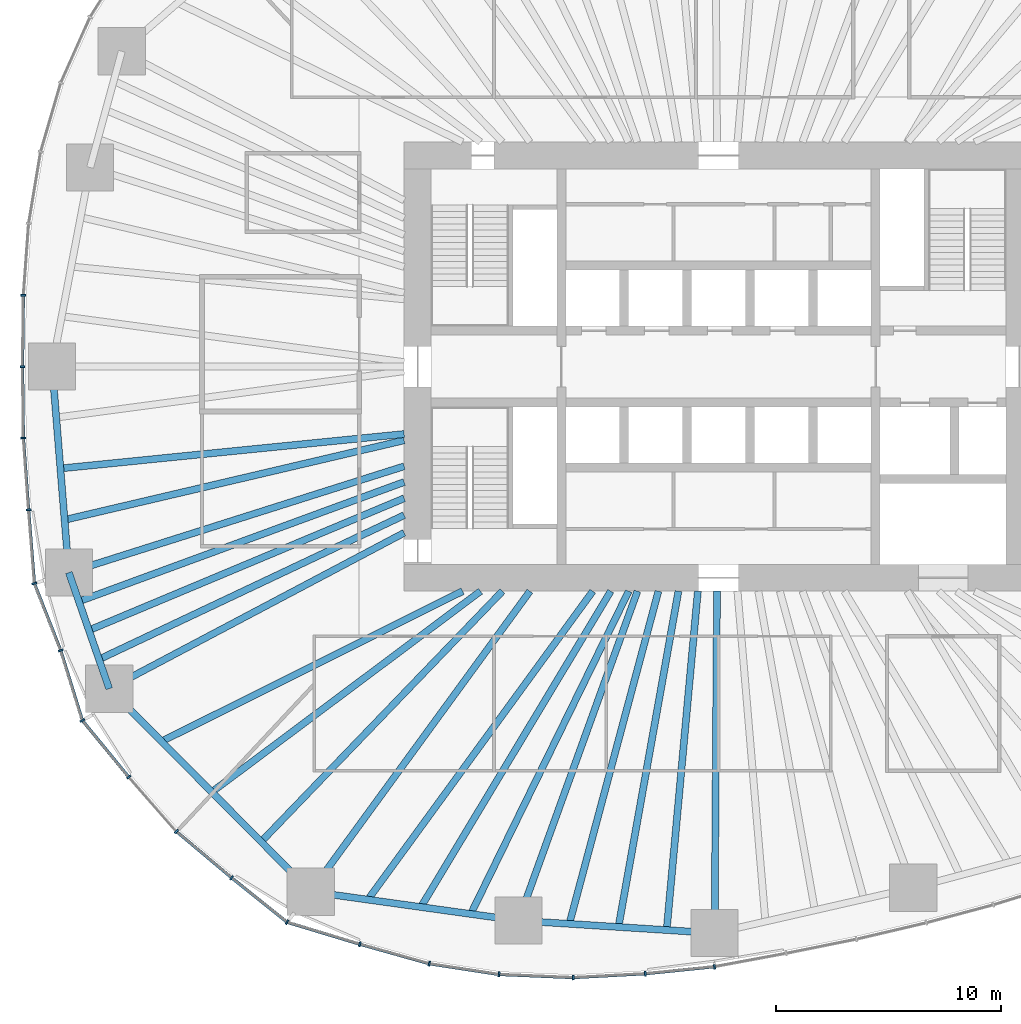
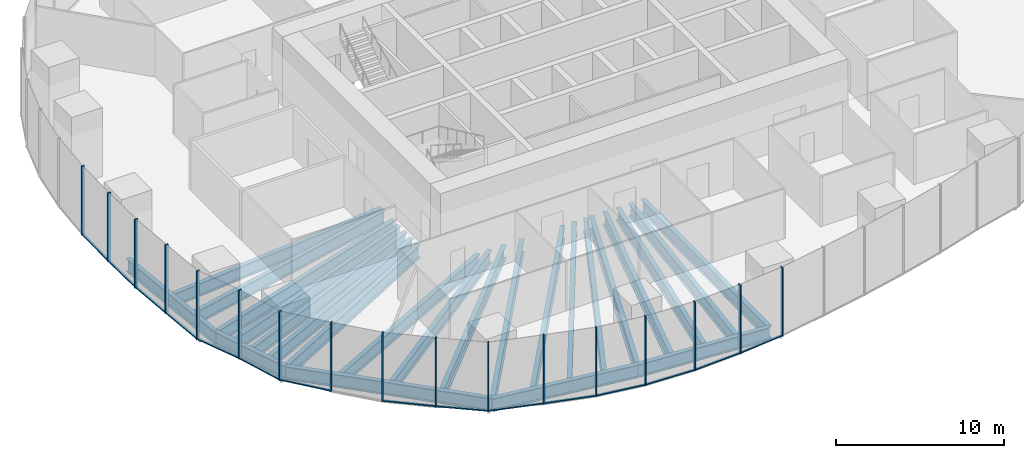
# One storey, part 2 of 20: 32 members, 24 beams, 7 elements without a shape of their own.
"""IFC4 building model written with IfcOpenShell, lengths in metres."""

from ifc_helpers import new_model, si_unit, direction, frame, origin, origin_2d, place, context, subcontext, project, spatial, rectangle, i_section, extrude, material, material_profile, profile_set, type_object, element, aggregate, save


model = new_model("IFC4")

# Units and contexts
model_context = context("Model", 3, precision=1e-05, world=origin(), true_north=direction((0.0, 1.0)))
body_context = subcontext(model_context, "Body", "Model", "MODEL_VIEW")
ifc_project = project(units=[si_unit("LENGTHUNIT", "METRE"), si_unit("AREAUNIT", "SQUARE_METRE"), si_unit("VOLUMEUNIT", "CUBIC_METRE"), si_unit("PLANEANGLEUNIT", "RADIAN"), si_unit("MASSUNIT", "GRAM", prefix="KILO")], contexts=[model_context])

# Site, building, storey
site_placement = place(None, origin())
site = spatial("IfcSite", under=ifc_project, at=site_placement, CompositionType="ELEMENT")
building_placement = place(site_placement, origin())
building = spatial("IfcBuilding", under=site, at=building_placement, Name="Ghaith Harvest Tower", CompositionType="ELEMENT")
storey_placement = place(building_placement, frame((0.0, 0.0, 25.0)))
storey = spatial("IfcBuildingStorey", under=building, at=storey_placement, Name="L05", CompositionType="ELEMENT", Elevation=25.0)

# Curtain wall, member
ifc_material_1 = material(Name="Black anodised aluminium and fritted glass", Category="aluminium")
curtain_wall_type = type_object("IfcCurtainWallType", Name="CW-F CURTAIN WALL", PredefinedType="NOTDEFINED", material=ifc_material_1)
curtain_wall_1_placement = place(storey_placement, origin())
curtain_wall_1 = element("IfcCurtainWall", 1, at=curtain_wall_1_placement, inside=storey, type_object=curtain_wall_type, Name="Curtain wall CW-F bay 10 L05", PredefinedType="NOTDEFINED")
ifc_material_2 = material(Name="Aluminium, black anodised", Category="aluminium")
ifc_material_profile_1 = material_profile(ifc_material_2, rectangle(XDim=0.080078125, YDim=0.219970703125, at=origin_2d()), Name="CW-F MULLION 80x220")
ifc_profile_set_1 = profile_set([ifc_material_profile_1], Name="Aluminium, black anodised")
member_type_1 = type_object("IfcMemberType", Name="CW-F MULLION 80x220", PredefinedType="MULLION", material=ifc_profile_set_1)
member_1_placement = place(storey_placement, frame((-30.95654296875, 3.177978515625, 0.0), z_axis=(0.0, 0.0, 1.0), x_axis=(-0.042427007767, -0.999099569118, 0.0)))
member_1 = element("IfcMember", 2, at=member_1_placement, type_object=member_type_1, Name="CW-F mullion 3 bay 10 L05", PredefinedType="MULLION", context=body_context, shape_type="SweptSolid", body=[
    extrude(rectangle(XDim=0.080078125, YDim=0.219970703125, at=origin_2d()), origin(), (0.0, 0.0, 1.0), 5.0),
])

# Curtain wall, members
curtain_wall_2_placement = place(storey_placement, origin())
curtain_wall_2 = element("IfcCurtainWall", 3, at=curtain_wall_2_placement, inside=storey, type_object=curtain_wall_type, Name="Curtain wall CW-F bay 11 L05", PredefinedType="NOTDEFINED")
member_2_placement = place(storey_placement, frame((-30.9951171875, 0.0, 0.0), z_axis=(0.0, 0.0, 1.0), x_axis=(1.4e-10, -1.0, 0.0)))
member_2 = element("IfcMember", 4, at=member_2_placement, type_object=member_type_1, Name="CW-F mullion 1 bay 11 L05", PredefinedType="MULLION", context=body_context, shape_type="SweptSolid", body=[
    extrude(rectangle(XDim=0.080078125, YDim=0.219970703125, at=origin_2d()), origin(), (0.0, 0.0, 1.0), 5.0),
])
member_3_placement = place(storey_placement, frame((-30.95654296875, -3.177978515625, 0.0), z_axis=(0.0, 0.0, 1.0), x_axis=(0.042427007872, -0.999099569114, 0.0)))
member_3 = element("IfcMember", 5, at=member_3_placement, type_object=member_type_1, Name="CW-F mullion 2 bay 11 L05", PredefinedType="MULLION", context=body_context, shape_type="SweptSolid", body=[
    extrude(rectangle(XDim=0.080078125, YDim=0.219970703125, at=origin_2d()), origin(), (0.0, 0.0, 1.0), 5.0),
])
member_4_placement = place(storey_placement, frame((-30.724365234375, -6.37548828125, 0.0), z_axis=(0.0, 0.0, 1.0), x_axis=(0.07568573288, -0.997131721408, 0.0)))
member_4 = element("IfcMember", 6, at=member_4_placement, type_object=member_type_1, Name="CW-F mullion 3 bay 11 L05", PredefinedType="MULLION", context=body_context, shape_type="SweptSolid", body=[
    extrude(rectangle(XDim=0.080078125, YDim=0.219970703125, at=origin_2d()), origin(), (0.0, 0.0, 1.0), 5.0),
])

curtain_wall_3_placement = place(storey_placement, origin())
curtain_wall_3 = element("IfcCurtainWall", 7, at=curtain_wall_3_placement, inside=storey, type_object=curtain_wall_type, Name="Curtain wall CW-F bay 12 L05", PredefinedType="NOTDEFINED")
member_5_placement = place(storey_placement, frame((-30.46484375, -9.65478515625, 0.0), z_axis=(0.0, 0.0, 1.0), x_axis=(0.222967363441, -0.974825910017, 0.0)))
member_5 = element("IfcMember", 8, at=member_5_placement, type_object=member_type_1, Name="CW-F mullion 1 bay 12 L05", PredefinedType="MULLION", context=body_context, shape_type="SweptSolid", body=[
    extrude(rectangle(XDim=0.080078125, YDim=0.219970703125, at=origin_2d()), origin(), (0.0, 0.0, 1.0), 5.0),
])
member_6_placement = place(storey_placement, frame((-29.29248046875, -12.63525390625, 0.0), z_axis=(0.0, 0.0, 1.0), x_axis=(0.330700518925, -0.943735750506, 0.0)))
member_6 = element("IfcMember", 9, at=member_6_placement, type_object=member_type_1, Name="CW-F mullion 2 bay 12 L05", PredefinedType="MULLION", context=body_context, shape_type="SweptSolid", body=[
    extrude(rectangle(XDim=0.080078125, YDim=0.219970703125, at=origin_2d()), origin(), (0.0, 0.0, 1.0), 5.0),
])
member_7_placement = place(storey_placement, frame((-28.3271484375, -15.7548828125, 0.0), z_axis=(0.0, 0.0, 1.0), x_axis=(0.473265082527, -0.880920065421, 0.0)))
member_7 = element("IfcMember", 10, at=member_7_placement, type_object=member_type_1, Name="CW-F mullion 3 bay 12 L05", PredefinedType="MULLION", context=body_context, shape_type="SweptSolid", body=[
    extrude(rectangle(XDim=0.080078125, YDim=0.219970703125, at=origin_2d()), origin(), (0.0, 0.0, 1.0), 5.0),
])

curtain_wall_4_placement = place(storey_placement, origin())
curtain_wall_4 = element("IfcCurtainWall", 11, at=curtain_wall_4_placement, inside=storey, type_object=curtain_wall_type, Name="Curtain wall CW-F bay 13 L05", PredefinedType="NOTDEFINED")
member_8_placement = place(storey_placement, frame((-26.26318359375, -18.274169921875, 0.0), z_axis=(0.0, 0.0, 1.0), x_axis=(0.646523538748, -0.762894038412, 0.0)))
member_8 = element("IfcMember", 12, at=member_8_placement, type_object=member_type_1, Name="CW-F mullion 1 bay 13 L05", PredefinedType="MULLION", context=body_context, shape_type="SweptSolid", body=[
    extrude(rectangle(XDim=0.080078125, YDim=0.219970703125, at=origin_2d()), origin(), (0.0, 0.0, 1.0), 5.0),
])
member_9_placement = place(storey_placement, frame((-24.139404296875, -20.696533203125, 0.0), z_axis=(0.0, 0.0, 1.0), x_axis=(0.714663248554, -0.699468684907, 0.0)))
member_9 = element("IfcMember", 13, at=member_9_placement, type_object=member_type_1, Name="CW-F mullion 2 bay 13 L05", PredefinedType="MULLION", context=body_context, shape_type="SweptSolid", body=[
    extrude(rectangle(XDim=0.080078125, YDim=0.219970703125, at=origin_2d()), origin(), (0.0, 0.0, 1.0), 5.0),
])
member_10_placement = place(storey_placement, frame((-21.681640625, -22.758056640625, 0.0), z_axis=(0.0, 0.0, 1.0), x_axis=(0.773138721505, -0.634236956751, 0.0)))
member_10 = element("IfcMember", 14, at=member_10_placement, type_object=member_type_1, Name="CW-F mullion 3 bay 13 L05", PredefinedType="MULLION", context=body_context, shape_type="SweptSolid", body=[
    extrude(rectangle(XDim=0.080078125, YDim=0.219970703125, at=origin_2d()), origin(), (0.0, 0.0, 1.0), 5.0),
])

curtain_wall_5_placement = place(storey_placement, origin())
curtain_wall_5 = element("IfcCurtainWall", 15, at=curtain_wall_5_placement, inside=storey, type_object=curtain_wall_type, Name="Curtain wall CW-F bay 14 L05", PredefinedType="NOTDEFINED")
member_11_placement = place(storey_placement, frame((-19.212646484375, -24.73828125, 0.0), z_axis=(0.0, 0.0, 1.0), x_axis=(0.887912253774, -0.460012858079, 0.0)))
member_11 = element("IfcMember", 16, at=member_11_placement, type_object=member_type_1, Name="CW-F mullion 1 bay 14 L05", PredefinedType="MULLION", context=body_context, shape_type="SweptSolid", body=[
    extrude(rectangle(XDim=0.080078125, YDim=0.219970703125, at=origin_2d()), origin(), (0.0, 0.0, 1.0), 5.0),
])
member_12_placement = place(storey_placement, frame((-15.97119140625, -25.716552734375, 0.0), z_axis=(0.0, 0.0, 1.0), x_axis=(0.960008876539, -0.279969564356, 0.0)))
member_12 = element("IfcMember", 17, at=member_12_placement, type_object=member_type_1, Name="CW-F mullion 2 bay 14 L05", PredefinedType="MULLION", context=body_context, shape_type="SweptSolid", body=[
    extrude(rectangle(XDim=0.080078125, YDim=0.219970703125, at=origin_2d()), origin(), (0.0, 0.0, 1.0), 5.0),
])
member_13_placement = place(storey_placement, frame((-12.880615234375, -26.5849609375, 0.0), z_axis=(0.0, 0.0, 1.0), x_axis=(0.977207016024, -0.212288595628, 0.0)))
member_13 = element("IfcMember", 18, at=member_13_placement, type_object=member_type_1, Name="CW-F mullion 3 bay 14 L05", PredefinedType="MULLION", context=body_context, shape_type="SweptSolid", body=[
    extrude(rectangle(XDim=0.080078125, YDim=0.219970703125, at=origin_2d()), origin(), (0.0, 0.0, 1.0), 5.0),
])

curtain_wall_6_placement = place(storey_placement, origin())
curtain_wall_6 = element("IfcCurtainWall", 19, at=curtain_wall_6_placement, inside=storey, type_object=curtain_wall_type, Name="Curtain wall CW-F bay 15 L05", PredefinedType="NOTDEFINED")
member_14_placement = place(storey_placement, frame((-9.7744140625, -27.062744140625, 0.0), z_axis=(0.0, 0.0, 1.0), x_axis=(0.995408459417, -0.095718331168, 0.0)))
member_14 = element("IfcMember", 20, at=member_14_placement, type_object=member_type_1, Name="CW-F mullion 1 bay 15 L05", PredefinedType="MULLION", context=body_context, shape_type="SweptSolid", body=[
    extrude(rectangle(XDim=0.080078125, YDim=0.219970703125, at=origin_2d()), origin(), (0.0, 0.0, 1.0), 5.0),
])
member_15_placement = place(storey_placement, frame((-6.465087890625, -27.20166015625, 0.0), z_axis=(0.0, 0.0, 1.0), x_axis=(0.999987206373, 0.005058368251, 0.0)))
member_15 = element("IfcMember", 21, at=member_15_placement, type_object=member_type_1, Name="CW-F mullion 2 bay 15 L05", PredefinedType="MULLION", context=body_context, shape_type="SweptSolid", body=[
    extrude(rectangle(XDim=0.080078125, YDim=0.219970703125, at=origin_2d()), origin(), (0.0, 0.0, 1.0), 5.0),
])
member_16_placement = place(storey_placement, frame((-3.261962890625, -27.02978515625, 0.0), z_axis=(0.0, 0.0, 1.0), x_axis=(0.997037536276, 0.07691652135, 0.0)))
member_16 = element("IfcMember", 22, at=member_16_placement, type_object=member_type_1, Name="CW-F mullion 3 bay 15 L05", PredefinedType="MULLION", context=body_context, shape_type="SweptSolid", body=[
    extrude(rectangle(XDim=0.080078125, YDim=0.219970703125, at=origin_2d()), origin(), (0.0, 0.0, 1.0), 5.0),
])

# Curtain wall, member
curtain_wall_7_placement = place(storey_placement, origin())
curtain_wall_7 = element("IfcCurtainWall", 23, at=curtain_wall_7_placement, inside=storey, type_object=curtain_wall_type, Name="Curtain wall CW-F bay 16 L05", PredefinedType="NOTDEFINED")
member_17_placement = place(storey_placement, frame((-0.182861328125, -26.717041015625, 0.0), z_axis=(0.0, 0.0, 1.0), x_axis=(0.98971187144, 0.143074845907, 0.0)))
member_17 = element("IfcMember", 24, at=member_17_placement, type_object=member_type_1, Name="CW-F mullion 1 bay 16 L05", PredefinedType="MULLION", context=body_context, shape_type="SweptSolid", body=[
    extrude(rectangle(XDim=0.080078125, YDim=0.219970703125, at=origin_2d()), origin(), (0.0, 0.0, 1.0), 5.0),
])
aggregate(curtain_wall_7, [member_17])

# Member
ifc_material_3 = material(Name="Aluminium, black anodised", Category="aluminium")
ifc_material_profile_2 = material_profile(ifc_material_3, rectangle(XDim=0.139892578125, YDim=0.080078125, at=origin_2d()), Name="CW-F TRANSOM 140x80")
ifc_profile_set_2 = profile_set([ifc_material_profile_2], Name="Aluminium, black anodised")
member_type_2 = type_object("IfcMemberType", Name="CW-F TRANSOM 140x80", PredefinedType="USERDEFINED", material=ifc_profile_set_2)
member_18_placement = place(storey_placement, frame((-30.95703125, 3.137939453125, 0.0400390625), z_axis=(-0.012135602457, -0.999926360865, 0.0), x_axis=(0.999926360865, -0.012135602457, 0.0)))
member_18 = element("IfcMember", 25, at=member_18_placement, type_object=member_type_2, Name="CW-F transom 3 bay 10 L05", ObjectType="TRANSOM", PredefinedType="USERDEFINED", context=body_context, shape_type="SweptSolid", body=[
    extrude(rectangle(XDim=0.139892578125, YDim=0.080078125, at=origin_2d()), origin(), (0.0, 0.0, 1.0), 3.09814453125),
])

aggregate(curtain_wall_1, [member_1, member_18])

member_19_placement = place(storey_placement, frame((-30.99462890625, -0.0400390625, 0.0400390625), z_axis=(0.012135602457, -0.999926360865, 0.0), x_axis=(0.999926360865, 0.012135602457, 0.0)))
member_19 = element("IfcMember", 26, at=member_19_placement, type_object=member_type_2, Name="CW-F transom 1 bay 11 L05", ObjectType="TRANSOM", PredefinedType="USERDEFINED", context=body_context, shape_type="SweptSolid", body=[
    extrude(rectangle(XDim=0.139892578125, YDim=0.080078125, at=origin_2d()), origin(), (0.0, 0.0, 1.0), 3.09814453125),
])

member_20_placement = place(storey_placement, frame((-30.95361328125, -3.2177734375, 0.0400390625), z_axis=(0.072473547161, -0.997370334912, 0.0), x_axis=(0.997370334912, 0.072473547161, 0.0)))
member_20 = element("IfcMember", 27, at=member_20_placement, type_object=member_type_2, Name="CW-F transom 2 bay 11 L05", ObjectType="TRANSOM", PredefinedType="USERDEFINED", context=body_context, shape_type="SweptSolid", body=[
    extrude(rectangle(XDim=0.139892578125, YDim=0.080078125, at=origin_2d()), origin(), (0.0, 0.0, 1.0), 3.126220703125),
])

member_21_placement = place(storey_placement, frame((-30.72119140625, -6.415283203125, 0.0400390625), z_axis=(0.078877539502, -0.996884313129, 0.0), x_axis=(0.996884313129, 0.078877539502, 0.0)))
member_21 = element("IfcMember", 28, at=member_21_placement, type_object=member_type_2, Name="CW-F transom 3 bay 11 L05", ObjectType="TRANSOM", PredefinedType="USERDEFINED", context=body_context, shape_type="SweptSolid", body=[
    extrude(rectangle(XDim=0.139892578125, YDim=0.080078125, at=origin_2d()), origin(), (0.0, 0.0, 1.0), 3.209716796875),
])

aggregate(curtain_wall_2, [member_2, member_19, member_3, member_20, member_4, member_21])

member_22_placement = place(storey_placement, frame((-30.4501953125, -9.692138671875, 0.0400390625), z_axis=(0.366046617161, -0.93059651518, 0.0), x_axis=(0.93059651518, 0.366046617161, 0.0)))
member_22 = element("IfcMember", 29, at=member_22_placement, type_object=member_type_2, Name="CW-F transom 1 bay 12 L05", ObjectType="TRANSOM", PredefinedType="USERDEFINED", context=body_context, shape_type="SweptSolid", body=[
    extrude(rectangle(XDim=0.139892578125, YDim=0.080078125, at=origin_2d()), origin(), (0.0, 0.0, 1.0), 3.122802734375),
])

member_23_placement = place(storey_placement, frame((-29.28076171875, -12.673583984375, 0.0400390625), z_axis=(0.295598800908, -0.955312173534, 0.0), x_axis=(0.955312173534, 0.295598800908, 0.0)))
member_23 = element("IfcMember", 30, at=member_23_placement, type_object=member_type_2, Name="CW-F transom 2 bay 12 L05", ObjectType="TRANSOM", PredefinedType="USERDEFINED", context=body_context, shape_type="SweptSolid", body=[
    extrude(rectangle(XDim=0.139892578125, YDim=0.080078125, at=origin_2d()), origin(), (0.0, 0.0, 1.0), 3.185546875),
])

member_24_placement = place(storey_placement, frame((-28.302001953125, -15.785888671875, 0.0400390625), z_axis=(0.633790042943, -0.773505126982, 0.0), x_axis=(0.773505126982, 0.633790042943, 0.0)))
member_24 = element("IfcMember", 31, at=member_24_placement, type_object=member_type_2, Name="CW-F transom 3 bay 12 L05", ObjectType="TRANSOM", PredefinedType="USERDEFINED", context=body_context, shape_type="SweptSolid", body=[
    extrude(rectangle(XDim=0.139892578125, YDim=0.080078125, at=origin_2d()), origin(), (0.0, 0.0, 1.0), 3.1767578125),
])

aggregate(curtain_wall_3, [member_5, member_22, member_6, member_23, member_7, member_24])

member_25_placement = place(storey_placement, frame((-24.10888671875, -20.72216796875, 0.0400390625), z_axis=(0.766144434184, -0.642668426149, 0.0), x_axis=(0.642668426149, 0.766144434184, 0.0)))
member_25 = element("IfcMember", 32, at=member_25_placement, type_object=member_type_2, Name="CW-F transom 2 bay 13 L05", ObjectType="TRANSOM", PredefinedType="USERDEFINED", context=body_context, shape_type="SweptSolid", body=[
    extrude(rectangle(XDim=0.139892578125, YDim=0.080078125, at=origin_2d()), origin(), (0.0, 0.0, 1.0), 3.1279296875),
])

member_26_placement = place(storey_placement, frame((-21.650634765625, -22.783203125, 0.0400390625), z_axis=(0.780181223133, -0.625553562112, 0.0), x_axis=(0.625553562112, 0.780181223133, 0.0)))
member_26 = element("IfcMember", 33, at=member_26_placement, type_object=member_type_2, Name="CW-F transom 3 bay 13 L05", ObjectType="TRANSOM", PredefinedType="USERDEFINED", context=body_context, shape_type="SweptSolid", body=[
    extrude(rectangle(XDim=0.139892578125, YDim=0.080078125, at=origin_2d()), origin(), (0.0, 0.0, 1.0), 3.085205078125),
])

aggregate(curtain_wall_4, [member_8, member_9, member_25, member_10, member_26])

member_27_placement = place(storey_placement, frame((-19.17431640625, -24.749755859375, 0.0400390625), z_axis=(0.957335035376, -0.288980328121, 0.0), x_axis=(0.288980328121, 0.957335035376, 0.0)))
member_27 = element("IfcMember", 34, at=member_27_placement, type_object=member_type_2, Name="CW-F transom 1 bay 14 L05", ObjectType="TRANSOM", PredefinedType="USERDEFINED", context=body_context, shape_type="SweptSolid", body=[
    extrude(rectangle(XDim=0.139892578125, YDim=0.080078125, at=origin_2d()), origin(), (0.0, 0.0, 1.0), 3.305908203125),
])

member_28_placement = place(storey_placement, frame((-15.9326171875, -25.727294921875, 0.0400390625), z_axis=(0.962727128991, -0.270474536888, 0.0), x_axis=(0.270474536888, 0.962727128991, 0.0)))
member_28 = element("IfcMember", 35, at=member_28_placement, type_object=member_type_2, Name="CW-F transom 2 bay 14 L05", ObjectType="TRANSOM", PredefinedType="USERDEFINED", context=body_context, shape_type="SweptSolid", body=[
    extrude(rectangle(XDim=0.139892578125, YDim=0.080078125, at=origin_2d()), origin(), (0.0, 0.0, 1.0), 3.13037109375),
])

member_29_placement = place(storey_placement, frame((-12.841064453125, -26.591064453125, 0.0400390625), z_axis=(0.988378147633, -0.152015253451, 0.0), x_axis=(0.152015253451, 0.988378147633, 0.0)))
member_29 = element("IfcMember", 36, at=member_29_placement, type_object=member_type_2, Name="CW-F transom 3 bay 14 L05", ObjectType="TRANSOM", PredefinedType="USERDEFINED", context=body_context, shape_type="SweptSolid", body=[
    extrude(rectangle(XDim=0.139892578125, YDim=0.080078125, at=origin_2d()), origin(), (0.0, 0.0, 1.0), 3.062744140625),
])

aggregate(curtain_wall_5, [member_11, member_27, member_12, member_28, member_13, member_29])

member_30_placement = place(storey_placement, frame((-9.734375, -27.064453125, 0.0400390625), z_axis=(0.999117688764, -0.04199814281, 0.0), x_axis=(0.04199814281, 0.999117688764, 0.0)))
member_30 = element("IfcMember", 37, at=member_30_placement, type_object=member_type_2, Name="CW-F transom 1 bay 15 L05", ObjectType="TRANSOM", PredefinedType="USERDEFINED", context=body_context, shape_type="SweptSolid", body=[
    extrude(rectangle(XDim=0.139892578125, YDim=0.080078125, at=origin_2d()), origin(), (0.0, 0.0, 1.0), 3.232177734375),
])

member_31_placement = place(storey_placement, frame((-6.42529296875, -27.19970703125, 0.0400390625), z_axis=(0.99856142387, 0.053619798202, 0.0), x_axis=(-0.053619798202, 0.99856142387, 0.0)))
member_31 = element("IfcMember", 38, at=member_31_placement, type_object=member_type_2, Name="CW-F transom 2 bay 15 L05", ObjectType="TRANSOM", PredefinedType="USERDEFINED", context=body_context, shape_type="SweptSolid", body=[
    extrude(rectangle(XDim=0.139892578125, YDim=0.080078125, at=origin_2d()), origin(), (0.0, 0.0, 1.0), 3.1279296875),
])

member_32_placement = place(storey_placement, frame((-3.22216796875, -27.02587890625, 0.0400390625), z_axis=(0.994880435036, 0.101058992587, 0.0), x_axis=(-0.101058992587, 0.994880435036, 0.0)))
member_32 = element("IfcMember", 39, at=member_32_placement, type_object=member_type_2, Name="CW-F transom 3 bay 15 L05", ObjectType="TRANSOM", PredefinedType="USERDEFINED", context=body_context, shape_type="SweptSolid", body=[
    extrude(rectangle(XDim=0.139892578125, YDim=0.080078125, at=origin_2d()), origin(), (0.0, 0.0, 1.0), 3.014892578125),
])

aggregate(curtain_wall_6, [member_14, member_30, member_15, member_31, member_16, member_32])

# Beams
ifc_material_4 = material(Name="Steel ASTM A992 Grade 50", Category="steel")
ifc_material_profile_3 = material_profile(ifc_material_4, i_section(OverallWidth=0.306884765625, OverallDepth=0.94189453125, WebThickness=0.022216796875, FlangeThickness=0.039794921875, at=origin_2d()), Name="W920X345")
ifc_profile_set_3 = profile_set([ifc_material_profile_3], Name="Steel ASTM A992 Grade 50")
beam_type_1 = type_object("IfcBeamType", Name="E920-345 W920X345", PredefinedType="SPANDREL", material=ifc_profile_set_3)
beam_1_placement = place(storey_placement, frame((-29.675048828125, 0.0, -0.6708984375), z_axis=(0.081006863421, -0.996713543642, 0.0), x_axis=(0.996713543642, 0.081006863421, 0.0)))
element("IfcBeam", 40, at=beam_1_placement, inside=storey, type_object=beam_type_1, Name="Edge beam E11 L05", PredefinedType="SPANDREL", context=body_context, shape_type="SweptSolid", body=[
    extrude(i_section(OverallWidth=0.306884765625, OverallDepth=0.94189453125, WebThickness=0.022216796875, FlangeThickness=0.039794921875, at=origin_2d()), origin(), (0.0, 0.0, 1.0), 9.1982421875),
])
beam_2_placement = place(storey_placement, frame((-28.929931640625, -9.16796875, -0.6708984375), z_axis=(0.328278550319, -0.944580961803, 0.0), x_axis=(0.944580961803, 0.328278550319, 0.0)))
element("IfcBeam", 41, at=beam_2_placement, inside=storey, type_object=beam_type_1, Name="Edge beam E12 L05", PredefinedType="SPANDREL", context=body_context, shape_type="SweptSolid", body=[
    extrude(i_section(OverallWidth=0.306884765625, OverallDepth=0.94189453125, WebThickness=0.022216796875, FlangeThickness=0.039794921875, at=origin_2d()), origin(), (0.0, 0.0, 1.0), 5.4765625),
])
beam_3_placement = place(storey_placement, frame((-27.132080078125, -14.341064453125, -0.6708984375), z_axis=(0.704562513714, -0.709641926798, 0.0), x_axis=(0.709641926798, 0.704562513714, 0.0)))
element("IfcBeam", 42, at=beam_3_placement, inside=storey, type_object=beam_type_1, Name="Edge beam E13 L05", PredefinedType="SPANDREL", context=body_context, shape_type="SweptSolid", body=[
    extrude(i_section(OverallWidth=0.306884765625, OverallDepth=0.94189453125, WebThickness=0.022216796875, FlangeThickness=0.039794921875, at=origin_2d()), origin(), (0.0, 0.0, 1.0), 12.737060546875),
])
beam_4_placement = place(storey_placement, frame((-18.157958984375, -23.3798828125, -0.6708984375), z_axis=(0.990441143901, -0.137936001352, 0.0), x_axis=(0.137936001352, 0.990441143901, 0.0)))
element("IfcBeam", 43, at=beam_4_placement, inside=storey, type_object=beam_type_1, Name="Edge beam E14 L05", PredefinedType="SPANDREL", context=body_context, shape_type="SweptSolid", body=[
    extrude(i_section(OverallWidth=0.306884765625, OverallDepth=0.94189453125, WebThickness=0.022216796875, FlangeThickness=0.039794921875, at=origin_2d()), origin(), (0.0, 0.0, 1.0), 9.33837890625),
])
beam_5_placement = place(storey_placement, frame((-8.908935546875, -24.66796875, -0.6708984375), z_axis=(0.99797963184, -0.063534671101, 0.0), x_axis=(0.063534671101, 0.99797963184, 0.0)))
element("IfcBeam", 44, at=beam_5_placement, inside=storey, type_object=beam_type_1, Name="Edge beam E15 L05", PredefinedType="SPANDREL", context=body_context, shape_type="SweptSolid", body=[
    extrude(i_section(OverallWidth=0.306884765625, OverallDepth=0.94189453125, WebThickness=0.022216796875, FlangeThickness=0.039794921875, at=origin_2d()), origin(), (0.0, 0.0, 1.0), 8.75341796875),
])
ifc_material_5 = material(Name="Steel ASTM A992 Grade 50", Category="steel")
ifc_material_profile_4 = material_profile(ifc_material_5, i_section(OverallWidth=0.306884765625, OverallDepth=0.94189453125, WebThickness=0.022216796875, FlangeThickness=0.039794921875, at=origin_2d()), Name="W920X345")
ifc_profile_set_4 = profile_set([ifc_material_profile_4], Name="Steel ASTM A992 Grade 50")
beam_type_2 = type_object("IfcBeamType", Name="G920-345 W920X345", PredefinedType="BEAM", material=ifc_profile_set_4)
beam_6_placement = place(storey_placement, frame((-14.0, -4.43701171875, -0.6708984375), z_axis=(-0.953284407194, -0.302074227636, 0.0), x_axis=(0.302074227636, -0.953284407194, 0.0)))
element("IfcBeam", 45, at=beam_6_placement, inside=storey, type_object=beam_type_2, Name="Radial girder G12 L05", PredefinedType="BEAM", context=body_context, shape_type="SweptSolid", body=[
    extrude(i_section(OverallWidth=0.306884765625, OverallDepth=0.94189453125, WebThickness=0.022216796875, FlangeThickness=0.039794921875, at=origin_2d()), origin(), (0.0, 0.0, 1.0), 15.66162109375),
])
beam_7_placement = place(storey_placement, frame((-14.0, -7.39990234375, -0.6708984375), z_axis=(-0.884097171481, -0.467303104397, 0.0), x_axis=(0.467303104397, -0.884097171481, 0.0)))
element("IfcBeam", 46, at=beam_7_placement, inside=storey, type_object=beam_type_2, Name="Radial girder G13 L05", PredefinedType="BEAM", context=body_context, shape_type="SweptSolid", body=[
    extrude(i_section(OverallWidth=0.306884765625, OverallDepth=0.94189453125, WebThickness=0.022216796875, FlangeThickness=0.039794921875, at=origin_2d()), origin(), (0.0, 0.0, 1.0), 14.853759765625),
])
beam_8_placement = place(storey_placement, frame((-8.39990234375, -10.0, -0.6708984375), z_axis=(-0.589246749374, -0.807953134997, 0.0), x_axis=(0.807953134997, -0.589246749374, 0.0)))
element("IfcBeam", 47, at=beam_8_placement, inside=storey, type_object=beam_type_2, Name="Radial girder G14 L05", PredefinedType="BEAM", context=body_context, shape_type="SweptSolid", body=[
    extrude(i_section(OverallWidth=0.306884765625, OverallDepth=0.94189453125, WebThickness=0.022216796875, FlangeThickness=0.039794921875, at=origin_2d()), origin(), (0.0, 0.0, 1.0), 16.560302734375),
])
beam_9_placement = place(storey_placement, frame((-3.61181640625, -10.0, -0.6708984375), z_axis=(-0.339664467784, -0.940546675782, 0.0), x_axis=(0.940546675782, -0.339664467784, 0.0)))
element("IfcBeam", 48, at=beam_9_placement, inside=storey, type_object=beam_type_2, Name="Radial girder G15 L05", PredefinedType="BEAM", context=body_context, shape_type="SweptSolid", body=[
    extrude(i_section(OverallWidth=0.306884765625, OverallDepth=0.94189453125, WebThickness=0.022216796875, FlangeThickness=0.039794921875, at=origin_2d()), origin(), (0.0, 0.0, 1.0), 15.59521484375),
])
beam_10_placement = place(storey_placement, frame((-0.068359375, -10.0, -0.6708984375), z_axis=(-0.006879467722, -0.999976336182, 0.0), x_axis=(0.999976336182, -0.006879467722, 0.0)))
element("IfcBeam", 49, at=beam_10_placement, inside=storey, type_object=beam_type_2, Name="Radial girder G16 L05", PredefinedType="BEAM", context=body_context, shape_type="SweptSolid", body=[
    extrude(i_section(OverallWidth=0.306884765625, OverallDepth=0.94189453125, WebThickness=0.022216796875, FlangeThickness=0.039794921875, at=origin_2d()), origin(), (0.0, 0.0, 1.0), 15.224365234375),
])
ifc_material_6 = material(Name="Steel ASTM A992 Grade 50", Category="steel")
ifc_material_profile_5 = material_profile(ifc_material_6, i_section(OverallWidth=0.31005859375, OverallDepth=0.927001953125, WebThickness=0.019287109375, FlangeThickness=0.031982421875, at=origin_2d()), Name="W920X289")
ifc_profile_set_5 = profile_set([ifc_material_profile_5], Name="Steel ASTM A992 Grade 50")
beam_type_3 = type_object("IfcBeamType", Name="J920-289 W920X289", PredefinedType="JOIST", material=ifc_profile_set_5)
beam_11_placement = place(storey_placement, frame((-14.0, -3.0, -0.66357421875), z_axis=(-0.995023982133, -0.099635711366, 0.0), x_axis=(0.099635711366, -0.995023982133, 0.0)))
element("IfcBeam", 50, at=beam_11_placement, inside=storey, type_object=beam_type_3, Name="Joist J11.2 L05", PredefinedType="JOIST", context=body_context, shape_type="SweptSolid", body=[
    extrude(i_section(OverallWidth=0.31005859375, OverallDepth=0.927001953125, WebThickness=0.019287109375, FlangeThickness=0.031982421875, at=origin_2d()), origin(), (0.0, 0.0, 1.0), 15.38330078125),
])
beam_12_placement = place(storey_placement, frame((-14.0, -3.280517578125, -0.66357421875), z_axis=(-0.973622531394, -0.228164778969, 0.0), x_axis=(0.228164778969, -0.973622531394, 0.0)))
element("IfcBeam", 51, at=beam_12_placement, inside=storey, type_object=beam_type_3, Name="Joist J11.3 L05", PredefinedType="JOIST", context=body_context, shape_type="SweptSolid", body=[
    extrude(i_section(OverallWidth=0.31005859375, OverallDepth=0.927001953125, WebThickness=0.019287109375, FlangeThickness=0.031982421875, at=origin_2d()), origin(), (0.0, 0.0, 1.0), 15.5302734375),
])
beam_13_placement = place(storey_placement, frame((-14.0, -5.137939453125, -0.66357421875), z_axis=(-0.938772784742, -0.344536875569, 0.0), x_axis=(0.344536875569, -0.938772784742, 0.0)))
element("IfcBeam", 52, at=beam_13_placement, inside=storey, type_object=beam_type_3, Name="Joist J12.1 L05", PredefinedType="JOIST", context=body_context, shape_type="SweptSolid", body=[
    extrude(i_section(OverallWidth=0.31005859375, OverallDepth=0.927001953125, WebThickness=0.019287109375, FlangeThickness=0.031982421875, at=origin_2d()), origin(), (0.0, 0.0, 1.0), 15.427734375),
])
beam_14_placement = place(storey_placement, frame((-14.0, -5.862548828125, -0.66357421875), z_axis=(-0.922389547545, -0.386260951404, 0.0), x_axis=(0.386260951404, -0.922389547545, 0.0)))
element("IfcBeam", 53, at=beam_14_placement, inside=storey, type_object=beam_type_3, Name="Joist J12.2 L05", PredefinedType="JOIST", context=body_context, shape_type="SweptSolid", body=[
    extrude(i_section(OverallWidth=0.31005859375, OverallDepth=0.927001953125, WebThickness=0.019287109375, FlangeThickness=0.031982421875, at=origin_2d()), origin(), (0.0, 0.0, 1.0), 15.216796875),
])
beam_15_placement = place(storey_placement, frame((-14.0, -6.614990234375, -0.66357421875), z_axis=(-0.904152605228, -0.427209628239, 0.0), x_axis=(0.427209628239, -0.904152605228, 0.0)))
element("IfcBeam", 54, at=beam_15_placement, inside=storey, type_object=beam_type_3, Name="Joist J12.3 L05", PredefinedType="JOIST", context=body_context, shape_type="SweptSolid", body=[
    extrude(i_section(OverallWidth=0.31005859375, OverallDepth=0.927001953125, WebThickness=0.019287109375, FlangeThickness=0.031982421875, at=origin_2d()), origin(), (0.0, 0.0, 1.0), 15.0263671875),
])
beam_16_placement = place(storey_placement, frame((-11.39990234375, -10.0, -0.66357421875), z_axis=(-0.894746445211, -0.446574516495, 0.0), x_axis=(0.446574516495, -0.894746445211, 0.0)))
element("IfcBeam", 55, at=beam_16_placement, inside=storey, type_object=beam_type_3, Name="Joist J13.1 L05", PredefinedType="JOIST", context=body_context, shape_type="SweptSolid", body=[
    extrude(i_section(OverallWidth=0.31005859375, OverallDepth=0.927001953125, WebThickness=0.019287109375, FlangeThickness=0.031982421875, at=origin_2d()), origin(), (0.0, 0.0, 1.0), 14.977783203125),
])
beam_17_placement = place(storey_placement, frame((-10.60009765625, -10.0, -0.66357421875), z_axis=(-0.800995319048, -0.598670609653, 0.0), x_axis=(0.598670609653, -0.800995319048, 0.0)))
element("IfcBeam", 56, at=beam_17_placement, inside=storey, type_object=beam_type_3, Name="Joist J13.2 L05", PredefinedType="JOIST", context=body_context, shape_type="SweptSolid", body=[
    extrude(i_section(OverallWidth=0.31005859375, OverallDepth=0.927001953125, WebThickness=0.019287109375, FlangeThickness=0.031982421875, at=origin_2d()), origin(), (0.0, 0.0, 1.0), 14.936279296875),
])
beam_18_placement = place(storey_placement, frame((-1.785888671875, -10.0, -0.66357421875), z_axis=(-0.175792307544, -0.984427277461, 0.0), x_axis=(0.984427277461, -0.175792307544, 0.0)))
element("IfcBeam", 57, at=beam_18_placement, inside=storey, type_object=beam_type_3, Name="Joist J15.2 L05", PredefinedType="JOIST", context=body_context, shape_type="SweptSolid", body=[
    extrude(i_section(OverallWidth=0.31005859375, OverallDepth=0.927001953125, WebThickness=0.019287109375, FlangeThickness=0.031982421875, at=origin_2d()), origin(), (0.0, 0.0, 1.0), 15.18798828125),
])
beam_19_placement = place(storey_placement, frame((-0.92041015625, -10.0, -0.66357421875), z_axis=(-0.091651457116, -0.995791147987, 0.0), x_axis=(0.995791147987, -0.091651457116, 0.0)))
element("IfcBeam", 58, at=beam_19_placement, inside=storey, type_object=beam_type_3, Name="Joist J15.3 L05", PredefinedType="JOIST", context=body_context, shape_type="SweptSolid", body=[
    extrude(i_section(OverallWidth=0.31005859375, OverallDepth=0.927001953125, WebThickness=0.019287109375, FlangeThickness=0.031982421875, at=origin_2d()), origin(), (0.0, 0.0, 1.0), 15.151611328125),
])
ifc_material_7 = material(Name="Steel ASTM A992 Grade 50", Category="steel")
ifc_material_profile_6 = material_profile(ifc_material_7, i_section(OverallWidth=0.306884765625, OverallDepth=0.94189453125, WebThickness=0.022216796875, FlangeThickness=0.039794921875, at=origin_2d()), Name="W920X345")
ifc_profile_set_6 = profile_set([ifc_material_profile_6], Name="Steel ASTM A992 Grade 50")
beam_type_4 = type_object("IfcBeamType", Name="J920-345 W920X345", PredefinedType="JOIST", material=ifc_profile_set_6)
beam_20_placement = place(storey_placement, frame((-9.626708984375, -10.0, -0.6708984375), z_axis=(-0.69353836378, -0.720419695709, 0.0), x_axis=(0.720419695709, -0.69353836378, 0.0)))
element("IfcBeam", 59, at=beam_20_placement, inside=storey, type_object=beam_type_4, Name="Joist J13.3 L05", PredefinedType="JOIST", context=body_context, shape_type="SweptSolid", body=[
    extrude(i_section(OverallWidth=0.306884765625, OverallDepth=0.94189453125, WebThickness=0.022216796875, FlangeThickness=0.039794921875, at=origin_2d()), origin(), (0.0, 0.0, 1.0), 15.485107421875),
])
beam_21_placement = place(storey_placement, frame((-5.60009765625, -10.0, -0.6708984375), z_axis=(-0.589160240072, -0.808016219836, 0.0), x_axis=(0.808016219836, -0.589160240072, 0.0)))
element("IfcBeam", 60, at=beam_21_placement, inside=storey, type_object=beam_type_4, Name="Joist J14.1 L05", PredefinedType="JOIST", context=body_context, shape_type="SweptSolid", body=[
    extrude(i_section(OverallWidth=0.306884765625, OverallDepth=0.94189453125, WebThickness=0.022216796875, FlangeThickness=0.039794921875, at=origin_2d()), origin(), (0.0, 0.0, 1.0), 16.997314453125),
])
beam_22_placement = place(storey_placement, frame((-4.800048828125, -10.0, -0.6708984375), z_axis=(-0.515226384897, -0.85705412449, 0.0), x_axis=(0.85705412449, -0.515226384897, 0.0)))
element("IfcBeam", 61, at=beam_22_placement, inside=storey, type_object=beam_type_4, Name="Joist J14.2 L05", PredefinedType="JOIST", context=body_context, shape_type="SweptSolid", body=[
    extrude(i_section(OverallWidth=0.306884765625, OverallDepth=0.94189453125, WebThickness=0.022216796875, FlangeThickness=0.039794921875, at=origin_2d()), origin(), (0.0, 0.0, 1.0), 16.408447265625),
])
beam_23_placement = place(storey_placement, frame((-4.0, -10.0, -0.6708984375), z_axis=(-0.439463806704, -0.898260297797, 0.0), x_axis=(0.898260297797, -0.439463806704, 0.0)))
element("IfcBeam", 62, at=beam_23_placement, inside=storey, type_object=beam_type_4, Name="Joist J14.3 L05", PredefinedType="JOIST", context=body_context, shape_type="SweptSolid", body=[
    extrude(i_section(OverallWidth=0.306884765625, OverallDepth=0.94189453125, WebThickness=0.022216796875, FlangeThickness=0.039794921875, at=origin_2d()), origin(), (0.0, 0.0, 1.0), 16.000244140625),
])
beam_24_placement = place(storey_placement, frame((-2.677978515625, -10.0, -0.6708984375), z_axis=(-0.258693109612, -0.965959561803, 0.0), x_axis=(0.965959561803, -0.258693109612, 0.0)))
element("IfcBeam", 63, at=beam_24_placement, inside=storey, type_object=beam_type_4, Name="Joist J15.1 L05", PredefinedType="JOIST", context=body_context, shape_type="SweptSolid", body=[
    extrude(i_section(OverallWidth=0.306884765625, OverallDepth=0.94189453125, WebThickness=0.022216796875, FlangeThickness=0.039794921875, at=origin_2d()), origin(), (0.0, 0.0, 1.0), 15.333984375),
])

save(model, "model.ifc")
